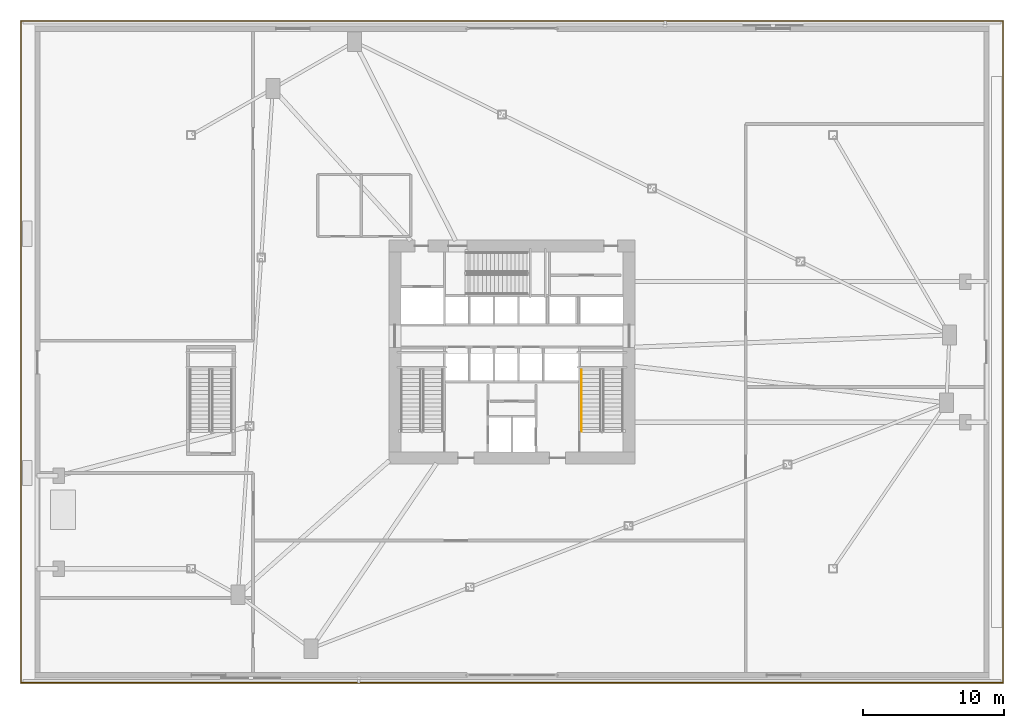
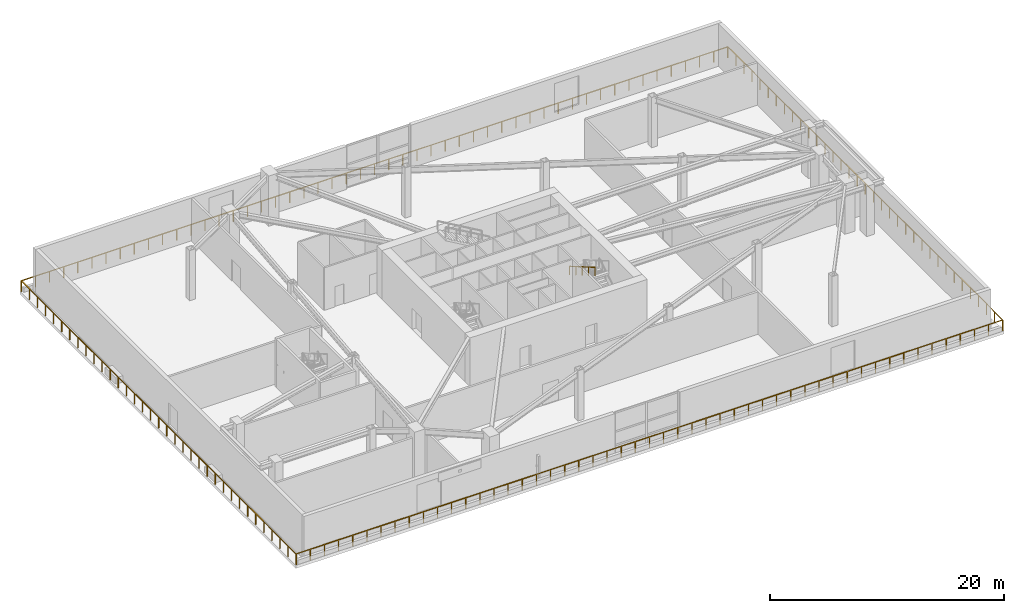
# One storey, part 13 of 15: 3 railings.
"""IFC4 building model written with IfcOpenShell, lengths in metres."""

from ifc_helpers import new_model, si_unit, direction, frame, origin, origin_2d, place, context, subcontext, project, spatial, rectangle, extrude, material, type_object, element, save


model = new_model("IFC4")

# Units and contexts
model_context = context("Model", 3, precision=1e-05, world=origin(), true_north=direction((0.0, 1.0)))
body_context = subcontext(model_context, "Body", "Model", "MODEL_VIEW")
ifc_project = project(units=[si_unit("LENGTHUNIT", "METRE"), si_unit("AREAUNIT", "SQUARE_METRE"), si_unit("VOLUMEUNIT", "CUBIC_METRE"), si_unit("PLANEANGLEUNIT", "RADIAN"), si_unit("MASSUNIT", "GRAM", prefix="KILO")], contexts=[model_context])

# Site, building, storey
site_placement = place(None, origin())
site = spatial("IfcSite", under=ifc_project, at=site_placement, CompositionType="ELEMENT")
building_placement = place(site_placement, origin())
building = spatial("IfcBuilding", under=site, at=building_placement, Name="Olszyna Solenne Hotel", CompositionType="ELEMENT")
storey_placement = place(building_placement, frame((0.0, 0.0, 10.199951171875)))
storey = spatial("IfcBuildingStorey", under=building, at=storey_placement, Name="L02", CompositionType="ELEMENT", Elevation=10.199951171875)

# Railings
ifc_material = material(Name="Steel S355J2", Category="steel")
railing_type_1 = type_object("IfcRailingType", Name="GR-115", PredefinedType="BALUSTRADE", material=ifc_material)
railing_1_placement = place(storey_placement, frame((3.1298828125, 50.10009765625, 0.0)))
element("IfcRailing", 1, at=railing_1_placement, inside=storey, type_object=railing_type_1, Name="Garden terrace perimeter guard balustrade GR-L02-T11", PredefinedType="BALUSTRADE", context=body_context, shape_type="SweptSolid", body=[
    extrude(rectangle(XDim=0.048095703125, YDim=0.048095703125, at=origin_2d()), frame((0.0, 0.0, 1.1259765625), z_axis=(1.0, 0.0, 0.0), x_axis=(0.0, 1.0, 0.0)), (0.0, 0.0, 1.0), 69.740234375),
    extrude(rectangle(XDim=0.048095703125, YDim=0.048095703125, at=origin_2d()), frame((69.740234375, 0.0, 1.1259765625), z_axis=(0.0, -1.0, 0.0), x_axis=(1.0, 0.0, 0.0)), (0.0, 0.0, 1.0), 47.0),
    extrude(rectangle(XDim=0.0419921875, YDim=0.0419921875, at=origin_2d()), origin(), (0.0, 0.0, 1.0), 1.101806640625),
    extrude(rectangle(XDim=0.0419921875, YDim=0.0419921875, at=origin_2d()), frame((1.394775390625, 0.0, 0.0)), (0.0, 0.0, 1.0), 1.101806640625),
    extrude(rectangle(XDim=0.0419921875, YDim=0.0419921875, at=origin_2d()), frame((2.78955078125, 0.0, 0.0)), (0.0, 0.0, 1.0), 1.101806640625),
    extrude(rectangle(XDim=0.0419921875, YDim=0.0419921875, at=origin_2d()), frame((4.184326171875, 0.0, 0.0)), (0.0, 0.0, 1.0), 1.101806640625),
    extrude(rectangle(XDim=0.0419921875, YDim=0.0419921875, at=origin_2d()), frame((5.5791015625, 0.0, 0.0)), (0.0, 0.0, 1.0), 1.101806640625),
    extrude(rectangle(XDim=0.0419921875, YDim=0.0419921875, at=origin_2d()), frame((6.97412109375, 0.0, 0.0)), (0.0, 0.0, 1.0), 1.101806640625),
    extrude(rectangle(XDim=0.0419921875, YDim=0.0419921875, at=origin_2d()), frame((8.368896484375, 0.0, 0.0)), (0.0, 0.0, 1.0), 1.101806640625),
    extrude(rectangle(XDim=0.0419921875, YDim=0.0419921875, at=origin_2d()), frame((9.763671875, 0.0, 0.0)), (0.0, 0.0, 1.0), 1.101806640625),
    extrude(rectangle(XDim=0.0419921875, YDim=0.0419921875, at=origin_2d()), frame((11.158447265625, 0.0, 0.0)), (0.0, 0.0, 1.0), 1.101806640625),
    extrude(rectangle(XDim=0.0419921875, YDim=0.0419921875, at=origin_2d()), frame((12.55322265625, 0.0, 0.0)), (0.0, 0.0, 1.0), 1.101806640625),
    extrude(rectangle(XDim=0.0419921875, YDim=0.0419921875, at=origin_2d()), frame((13.947998046875, 0.0, 0.0)), (0.0, 0.0, 1.0), 1.101806640625),
    extrude(rectangle(XDim=0.0419921875, YDim=0.0419921875, at=origin_2d()), frame((15.3427734375, 0.0, 0.0)), (0.0, 0.0, 1.0), 1.101806640625),
    extrude(rectangle(XDim=0.0419921875, YDim=0.0419921875, at=origin_2d()), frame((16.737548828125, 0.0, 0.0)), (0.0, 0.0, 1.0), 1.101806640625),
    extrude(rectangle(XDim=0.0419921875, YDim=0.0419921875, at=origin_2d()), frame((18.132568359375, 0.0, 0.0)), (0.0, 0.0, 1.0), 1.101806640625),
    extrude(rectangle(XDim=0.0419921875, YDim=0.0419921875, at=origin_2d()), frame((19.52734375, 0.0, 0.0)), (0.0, 0.0, 1.0), 1.101806640625),
    extrude(rectangle(XDim=0.0419921875, YDim=0.0419921875, at=origin_2d()), frame((20.922119140625, 0.0, 0.0)), (0.0, 0.0, 1.0), 1.101806640625),
    extrude(rectangle(XDim=0.0419921875, YDim=0.0419921875, at=origin_2d()), frame((22.31689453125, 0.0, 0.0)), (0.0, 0.0, 1.0), 1.101806640625),
    extrude(rectangle(XDim=0.0419921875, YDim=0.0419921875, at=origin_2d()), frame((23.711669921875, 0.0, 0.0)), (0.0, 0.0, 1.0), 1.101806640625),
    extrude(rectangle(XDim=0.0419921875, YDim=0.0419921875, at=origin_2d()), frame((25.1064453125, 0.0, 0.0)), (0.0, 0.0, 1.0), 1.101806640625),
    extrude(rectangle(XDim=0.0419921875, YDim=0.0419921875, at=origin_2d()), frame((26.501220703125, 0.0, 0.0)), (0.0, 0.0, 1.0), 1.101806640625),
    extrude(rectangle(XDim=0.0419921875, YDim=0.0419921875, at=origin_2d()), frame((27.89599609375, 0.0, 0.0)), (0.0, 0.0, 1.0), 1.101806640625),
    extrude(rectangle(XDim=0.0419921875, YDim=0.0419921875, at=origin_2d()), frame((29.291015625, 0.0, 0.0)), (0.0, 0.0, 1.0), 1.101806640625),
    extrude(rectangle(XDim=0.0419921875, YDim=0.0419921875, at=origin_2d()), frame((30.685791015625, 0.0, 0.0)), (0.0, 0.0, 1.0), 1.101806640625),
    extrude(rectangle(XDim=0.0419921875, YDim=0.0419921875, at=origin_2d()), frame((32.08056640625, 0.0, 0.0)), (0.0, 0.0, 1.0), 1.101806640625),
    extrude(rectangle(XDim=0.0419921875, YDim=0.0419921875, at=origin_2d()), frame((33.475341796875, 0.0, 0.0)), (0.0, 0.0, 1.0), 1.101806640625),
    extrude(rectangle(XDim=0.0419921875, YDim=0.0419921875, at=origin_2d()), frame((34.8701171875, 0.0, 0.0)), (0.0, 0.0, 1.0), 1.101806640625),
    extrude(rectangle(XDim=0.0419921875, YDim=0.0419921875, at=origin_2d()), frame((36.264892578125, 0.0, 0.0)), (0.0, 0.0, 1.0), 1.101806640625),
    extrude(rectangle(XDim=0.0419921875, YDim=0.0419921875, at=origin_2d()), frame((37.65966796875, 0.0, 0.0)), (0.0, 0.0, 1.0), 1.101806640625),
    extrude(rectangle(XDim=0.0419921875, YDim=0.0419921875, at=origin_2d()), frame((39.054443359375, 0.0, 0.0)), (0.0, 0.0, 1.0), 1.101806640625),
    extrude(rectangle(XDim=0.0419921875, YDim=0.0419921875, at=origin_2d()), frame((40.44921875, 0.0, 0.0)), (0.0, 0.0, 1.0), 1.101806640625),
    extrude(rectangle(XDim=0.0419921875, YDim=0.0419921875, at=origin_2d()), frame((41.84423828125, 0.0, 0.0)), (0.0, 0.0, 1.0), 1.101806640625),
    extrude(rectangle(XDim=0.0419921875, YDim=0.0419921875, at=origin_2d()), frame((43.239013671875, 0.0, 0.0)), (0.0, 0.0, 1.0), 1.101806640625),
    extrude(rectangle(XDim=0.0419921875, YDim=0.0419921875, at=origin_2d()), frame((44.6337890625, 0.0, 0.0)), (0.0, 0.0, 1.0), 1.101806640625),
    extrude(rectangle(XDim=0.0419921875, YDim=0.0419921875, at=origin_2d()), frame((46.028564453125, 0.0, 0.0)), (0.0, 0.0, 1.0), 1.101806640625),
    extrude(rectangle(XDim=0.0419921875, YDim=0.0419921875, at=origin_2d()), frame((47.42333984375, 0.0, 0.0)), (0.0, 0.0, 1.0), 1.101806640625),
    extrude(rectangle(XDim=0.0419921875, YDim=0.0419921875, at=origin_2d()), frame((48.818115234375, 0.0, 0.0)), (0.0, 0.0, 1.0), 1.101806640625),
    extrude(rectangle(XDim=0.0419921875, YDim=0.0419921875, at=origin_2d()), frame((50.212890625, 0.0, 0.0)), (0.0, 0.0, 1.0), 1.101806640625),
    extrude(rectangle(XDim=0.0419921875, YDim=0.0419921875, at=origin_2d()), frame((51.607666015625, 0.0, 0.0)), (0.0, 0.0, 1.0), 1.101806640625),
    extrude(rectangle(XDim=0.0419921875, YDim=0.0419921875, at=origin_2d()), frame((53.002685546875, 0.0, 0.0)), (0.0, 0.0, 1.0), 1.101806640625),
    extrude(rectangle(XDim=0.0419921875, YDim=0.0419921875, at=origin_2d()), frame((54.3974609375, 0.0, 0.0)), (0.0, 0.0, 1.0), 1.101806640625),
    extrude(rectangle(XDim=0.0419921875, YDim=0.0419921875, at=origin_2d()), frame((55.792236328125, 0.0, 0.0)), (0.0, 0.0, 1.0), 1.101806640625),
    extrude(rectangle(XDim=0.0419921875, YDim=0.0419921875, at=origin_2d()), frame((57.18701171875, 0.0, 0.0)), (0.0, 0.0, 1.0), 1.101806640625),
    extrude(rectangle(XDim=0.0419921875, YDim=0.0419921875, at=origin_2d()), frame((58.581787109375, 0.0, 0.0)), (0.0, 0.0, 1.0), 1.101806640625),
    extrude(rectangle(XDim=0.0419921875, YDim=0.0419921875, at=origin_2d()), frame((59.9765625, 0.0, 0.0)), (0.0, 0.0, 1.0), 1.101806640625),
    extrude(rectangle(XDim=0.0419921875, YDim=0.0419921875, at=origin_2d()), frame((61.371337890625, 0.0, 0.0)), (0.0, 0.0, 1.0), 1.101806640625),
    extrude(rectangle(XDim=0.0419921875, YDim=0.0419921875, at=origin_2d()), frame((62.76611328125, 0.0, 0.0)), (0.0, 0.0, 1.0), 1.101806640625),
    extrude(rectangle(XDim=0.0419921875, YDim=0.0419921875, at=origin_2d()), frame((64.1611328125, 0.0, 0.0)), (0.0, 0.0, 1.0), 1.101806640625),
    extrude(rectangle(XDim=0.0419921875, YDim=0.0419921875, at=origin_2d()), frame((65.555908203125, 0.0, 0.0)), (0.0, 0.0, 1.0), 1.101806640625),
    extrude(rectangle(XDim=0.0419921875, YDim=0.0419921875, at=origin_2d()), frame((66.95068359375, 0.0, 0.0)), (0.0, 0.0, 1.0), 1.101806640625),
    extrude(rectangle(XDim=0.0419921875, YDim=0.0419921875, at=origin_2d()), frame((68.345458984375, 0.0, 0.0)), (0.0, 0.0, 1.0), 1.101806640625),
    extrude(rectangle(XDim=0.0419921875, YDim=0.0419921875, at=origin_2d()), frame((69.740234375, 0.0, 0.0)), (0.0, 0.0, 1.0), 1.101806640625),
    extrude(rectangle(XDim=0.0419921875, YDim=0.0419921875, at=origin_2d()), frame((69.740234375, -1.38232421875, 0.0)), (0.0, 0.0, 1.0), 1.101806640625),
    extrude(rectangle(XDim=0.0419921875, YDim=0.0419921875, at=origin_2d()), frame((69.740234375, -2.7646484375, 0.0)), (0.0, 0.0, 1.0), 1.101806640625),
    extrude(rectangle(XDim=0.0419921875, YDim=0.0419921875, at=origin_2d()), frame((69.740234375, -4.14697265625, 0.0)), (0.0, 0.0, 1.0), 1.101806640625),
    extrude(rectangle(XDim=0.0419921875, YDim=0.0419921875, at=origin_2d()), frame((69.740234375, -5.529296875, 0.0)), (0.0, 0.0, 1.0), 1.101806640625),
    extrude(rectangle(XDim=0.0419921875, YDim=0.0419921875, at=origin_2d()), frame((69.740234375, -6.911865234375, 0.0)), (0.0, 0.0, 1.0), 1.101806640625),
    extrude(rectangle(XDim=0.0419921875, YDim=0.0419921875, at=origin_2d()), frame((69.740234375, -8.294189453125, 0.0)), (0.0, 0.0, 1.0), 1.101806640625),
    extrude(rectangle(XDim=0.0419921875, YDim=0.0419921875, at=origin_2d()), frame((69.740234375, -9.676513671875, 0.0)), (0.0, 0.0, 1.0), 1.101806640625),
    extrude(rectangle(XDim=0.0419921875, YDim=0.0419921875, at=origin_2d()), frame((69.740234375, -11.058837890625, 0.0)), (0.0, 0.0, 1.0), 1.101806640625),
    extrude(rectangle(XDim=0.0419921875, YDim=0.0419921875, at=origin_2d()), frame((69.740234375, -12.441162109375, 0.0)), (0.0, 0.0, 1.0), 1.101806640625),
    extrude(rectangle(XDim=0.0419921875, YDim=0.0419921875, at=origin_2d()), frame((69.740234375, -13.823486328125, 0.0)), (0.0, 0.0, 1.0), 1.101806640625),
    extrude(rectangle(XDim=0.0419921875, YDim=0.0419921875, at=origin_2d()), frame((69.740234375, -15.205810546875, 0.0)), (0.0, 0.0, 1.0), 1.101806640625),
    extrude(rectangle(XDim=0.0419921875, YDim=0.0419921875, at=origin_2d()), frame((69.740234375, -16.588134765625, 0.0)), (0.0, 0.0, 1.0), 1.101806640625),
    extrude(rectangle(XDim=0.0419921875, YDim=0.0419921875, at=origin_2d()), frame((69.740234375, -17.970703125, 0.0)), (0.0, 0.0, 1.0), 1.101806640625),
    extrude(rectangle(XDim=0.0419921875, YDim=0.0419921875, at=origin_2d()), frame((69.740234375, -19.35302734375, 0.0)), (0.0, 0.0, 1.0), 1.101806640625),
    extrude(rectangle(XDim=0.0419921875, YDim=0.0419921875, at=origin_2d()), frame((69.740234375, -20.7353515625, 0.0)), (0.0, 0.0, 1.0), 1.101806640625),
    extrude(rectangle(XDim=0.0419921875, YDim=0.0419921875, at=origin_2d()), frame((69.740234375, -22.11767578125, 0.0)), (0.0, 0.0, 1.0), 1.101806640625),
    extrude(rectangle(XDim=0.0419921875, YDim=0.0419921875, at=origin_2d()), frame((69.740234375, -23.5, 0.0)), (0.0, 0.0, 1.0), 1.101806640625),
    extrude(rectangle(XDim=0.0419921875, YDim=0.0419921875, at=origin_2d()), frame((69.740234375, -24.88232421875, 0.0)), (0.0, 0.0, 1.0), 1.101806640625),
    extrude(rectangle(XDim=0.0419921875, YDim=0.0419921875, at=origin_2d()), frame((69.740234375, -26.2646484375, 0.0)), (0.0, 0.0, 1.0), 1.101806640625),
    extrude(rectangle(XDim=0.0419921875, YDim=0.0419921875, at=origin_2d()), frame((69.740234375, -27.64697265625, 0.0)), (0.0, 0.0, 1.0), 1.101806640625),
    extrude(rectangle(XDim=0.0419921875, YDim=0.0419921875, at=origin_2d()), frame((69.740234375, -29.029296875, 0.0)), (0.0, 0.0, 1.0), 1.101806640625),
    extrude(rectangle(XDim=0.0419921875, YDim=0.0419921875, at=origin_2d()), frame((69.740234375, -30.411865234375, 0.0)), (0.0, 0.0, 1.0), 1.101806640625),
    extrude(rectangle(XDim=0.0419921875, YDim=0.0419921875, at=origin_2d()), frame((69.740234375, -31.794189453125, 0.0)), (0.0, 0.0, 1.0), 1.101806640625),
    extrude(rectangle(XDim=0.0419921875, YDim=0.0419921875, at=origin_2d()), frame((69.740234375, -33.176513671875, 0.0)), (0.0, 0.0, 1.0), 1.101806640625),
    extrude(rectangle(XDim=0.0419921875, YDim=0.0419921875, at=origin_2d()), frame((69.740234375, -34.558837890625, 0.0)), (0.0, 0.0, 1.0), 1.101806640625),
    extrude(rectangle(XDim=0.0419921875, YDim=0.0419921875, at=origin_2d()), frame((69.740234375, -35.941162109375, 0.0)), (0.0, 0.0, 1.0), 1.101806640625),
    extrude(rectangle(XDim=0.0419921875, YDim=0.0419921875, at=origin_2d()), frame((69.740234375, -37.323486328125, 0.0)), (0.0, 0.0, 1.0), 1.101806640625),
    extrude(rectangle(XDim=0.0419921875, YDim=0.0419921875, at=origin_2d()), frame((69.740234375, -38.705810546875, 0.0)), (0.0, 0.0, 1.0), 1.101806640625),
    extrude(rectangle(XDim=0.0419921875, YDim=0.0419921875, at=origin_2d()), frame((69.740234375, -40.088134765625, 0.0)), (0.0, 0.0, 1.0), 1.101806640625),
    extrude(rectangle(XDim=0.0419921875, YDim=0.0419921875, at=origin_2d()), frame((69.740234375, -41.470703125, 0.0)), (0.0, 0.0, 1.0), 1.101806640625),
    extrude(rectangle(XDim=0.0419921875, YDim=0.0419921875, at=origin_2d()), frame((69.740234375, -42.85302734375, 0.0)), (0.0, 0.0, 1.0), 1.101806640625),
    extrude(rectangle(XDim=0.0419921875, YDim=0.0419921875, at=origin_2d()), frame((69.740234375, -44.2353515625, 0.0)), (0.0, 0.0, 1.0), 1.101806640625),
    extrude(rectangle(XDim=0.0419921875, YDim=0.0419921875, at=origin_2d()), frame((69.740234375, -45.61767578125, 0.0)), (0.0, 0.0, 1.0), 1.101806640625),
    extrude(rectangle(XDim=0.0419921875, YDim=0.0419921875, at=origin_2d()), frame((69.740234375, -47.0, 0.0)), (0.0, 0.0, 1.0), 1.101806640625),
])
railing_2_placement = place(storey_placement, frame((72.8701171875, 3.10009765625, 0.0)))
element("IfcRailing", 2, at=railing_2_placement, inside=storey, type_object=railing_type_1, Name="Garden terrace perimeter guard balustrade GR-L02-T12", PredefinedType="BALUSTRADE", context=body_context, shape_type="SweptSolid", body=[
    extrude(rectangle(XDim=0.048095703125, YDim=0.048095703125, at=origin_2d()), frame((0.0, 0.0, 1.1259765625), z_axis=(-1.0, 0.0, 0.0), x_axis=(0.0, -1.0, 0.0)), (0.0, 0.0, 1.0), 69.740234375),
    extrude(rectangle(XDim=0.048095703125, YDim=0.048095703125, at=origin_2d()), frame((-69.740234375, 0.0, 1.1259765625), z_axis=(0.0, 1.0, 0.0), x_axis=(-1.0, 0.0, 0.0)), (0.0, 0.0, 1.0), 47.0),
    extrude(rectangle(XDim=0.0419921875, YDim=0.0419921875, at=origin_2d()), origin(), (0.0, 0.0, 1.0), 1.101806640625),
    extrude(rectangle(XDim=0.0419921875, YDim=0.0419921875, at=origin_2d()), frame((-1.394775390625, 0.0, 0.0)), (0.0, 0.0, 1.0), 1.101806640625),
    extrude(rectangle(XDim=0.0419921875, YDim=0.0419921875, at=origin_2d()), frame((-2.78955078125, 0.0, 0.0)), (0.0, 0.0, 1.0), 1.101806640625),
    extrude(rectangle(XDim=0.0419921875, YDim=0.0419921875, at=origin_2d()), frame((-4.184326171875, 0.0, 0.0)), (0.0, 0.0, 1.0), 1.101806640625),
    extrude(rectangle(XDim=0.0419921875, YDim=0.0419921875, at=origin_2d()), frame((-5.5791015625, 0.0, 0.0)), (0.0, 0.0, 1.0), 1.101806640625),
    extrude(rectangle(XDim=0.0419921875, YDim=0.0419921875, at=origin_2d()), frame((-6.97412109375, 0.0, 0.0)), (0.0, 0.0, 1.0), 1.101806640625),
    extrude(rectangle(XDim=0.0419921875, YDim=0.0419921875, at=origin_2d()), frame((-8.368896484375, 0.0, 0.0)), (0.0, 0.0, 1.0), 1.101806640625),
    extrude(rectangle(XDim=0.0419921875, YDim=0.0419921875, at=origin_2d()), frame((-9.763671875, 0.0, 0.0)), (0.0, 0.0, 1.0), 1.101806640625),
    extrude(rectangle(XDim=0.0419921875, YDim=0.0419921875, at=origin_2d()), frame((-11.158447265625, 0.0, 0.0)), (0.0, 0.0, 1.0), 1.101806640625),
    extrude(rectangle(XDim=0.0419921875, YDim=0.0419921875, at=origin_2d()), frame((-12.55322265625, 0.0, 0.0)), (0.0, 0.0, 1.0), 1.101806640625),
    extrude(rectangle(XDim=0.0419921875, YDim=0.0419921875, at=origin_2d()), frame((-13.947998046875, 0.0, 0.0)), (0.0, 0.0, 1.0), 1.101806640625),
    extrude(rectangle(XDim=0.0419921875, YDim=0.0419921875, at=origin_2d()), frame((-15.3427734375, 0.0, 0.0)), (0.0, 0.0, 1.0), 1.101806640625),
    extrude(rectangle(XDim=0.0419921875, YDim=0.0419921875, at=origin_2d()), frame((-16.737548828125, 0.0, 0.0)), (0.0, 0.0, 1.0), 1.101806640625),
    extrude(rectangle(XDim=0.0419921875, YDim=0.0419921875, at=origin_2d()), frame((-18.132568359375, 0.0, 0.0)), (0.0, 0.0, 1.0), 1.101806640625),
    extrude(rectangle(XDim=0.0419921875, YDim=0.0419921875, at=origin_2d()), frame((-19.52734375, 0.0, 0.0)), (0.0, 0.0, 1.0), 1.101806640625),
    extrude(rectangle(XDim=0.0419921875, YDim=0.0419921875, at=origin_2d()), frame((-20.922119140625, 0.0, 0.0)), (0.0, 0.0, 1.0), 1.101806640625),
    extrude(rectangle(XDim=0.0419921875, YDim=0.0419921875, at=origin_2d()), frame((-22.31689453125, 0.0, 0.0)), (0.0, 0.0, 1.0), 1.101806640625),
    extrude(rectangle(XDim=0.0419921875, YDim=0.0419921875, at=origin_2d()), frame((-23.711669921875, 0.0, 0.0)), (0.0, 0.0, 1.0), 1.101806640625),
    extrude(rectangle(XDim=0.0419921875, YDim=0.0419921875, at=origin_2d()), frame((-25.1064453125, 0.0, 0.0)), (0.0, 0.0, 1.0), 1.101806640625),
    extrude(rectangle(XDim=0.0419921875, YDim=0.0419921875, at=origin_2d()), frame((-26.501220703125, 0.0, 0.0)), (0.0, 0.0, 1.0), 1.101806640625),
    extrude(rectangle(XDim=0.0419921875, YDim=0.0419921875, at=origin_2d()), frame((-27.89599609375, 0.0, 0.0)), (0.0, 0.0, 1.0), 1.101806640625),
    extrude(rectangle(XDim=0.0419921875, YDim=0.0419921875, at=origin_2d()), frame((-29.291015625, 0.0, 0.0)), (0.0, 0.0, 1.0), 1.101806640625),
    extrude(rectangle(XDim=0.0419921875, YDim=0.0419921875, at=origin_2d()), frame((-30.685791015625, 0.0, 0.0)), (0.0, 0.0, 1.0), 1.101806640625),
    extrude(rectangle(XDim=0.0419921875, YDim=0.0419921875, at=origin_2d()), frame((-32.08056640625, 0.0, 0.0)), (0.0, 0.0, 1.0), 1.101806640625),
    extrude(rectangle(XDim=0.0419921875, YDim=0.0419921875, at=origin_2d()), frame((-33.475341796875, 0.0, 0.0)), (0.0, 0.0, 1.0), 1.101806640625),
    extrude(rectangle(XDim=0.0419921875, YDim=0.0419921875, at=origin_2d()), frame((-34.8701171875, 0.0, 0.0)), (0.0, 0.0, 1.0), 1.101806640625),
    extrude(rectangle(XDim=0.0419921875, YDim=0.0419921875, at=origin_2d()), frame((-36.264892578125, 0.0, 0.0)), (0.0, 0.0, 1.0), 1.101806640625),
    extrude(rectangle(XDim=0.0419921875, YDim=0.0419921875, at=origin_2d()), frame((-37.65966796875, 0.0, 0.0)), (0.0, 0.0, 1.0), 1.101806640625),
    extrude(rectangle(XDim=0.0419921875, YDim=0.0419921875, at=origin_2d()), frame((-39.054443359375, 0.0, 0.0)), (0.0, 0.0, 1.0), 1.101806640625),
    extrude(rectangle(XDim=0.0419921875, YDim=0.0419921875, at=origin_2d()), frame((-40.44921875, 0.0, 0.0)), (0.0, 0.0, 1.0), 1.101806640625),
    extrude(rectangle(XDim=0.0419921875, YDim=0.0419921875, at=origin_2d()), frame((-41.84423828125, 0.0, 0.0)), (0.0, 0.0, 1.0), 1.101806640625),
    extrude(rectangle(XDim=0.0419921875, YDim=0.0419921875, at=origin_2d()), frame((-43.239013671875, 0.0, 0.0)), (0.0, 0.0, 1.0), 1.101806640625),
    extrude(rectangle(XDim=0.0419921875, YDim=0.0419921875, at=origin_2d()), frame((-44.6337890625, 0.0, 0.0)), (0.0, 0.0, 1.0), 1.101806640625),
    extrude(rectangle(XDim=0.0419921875, YDim=0.0419921875, at=origin_2d()), frame((-46.028564453125, 0.0, 0.0)), (0.0, 0.0, 1.0), 1.101806640625),
    extrude(rectangle(XDim=0.0419921875, YDim=0.0419921875, at=origin_2d()), frame((-47.42333984375, 0.0, 0.0)), (0.0, 0.0, 1.0), 1.101806640625),
    extrude(rectangle(XDim=0.0419921875, YDim=0.0419921875, at=origin_2d()), frame((-48.818115234375, 0.0, 0.0)), (0.0, 0.0, 1.0), 1.101806640625),
    extrude(rectangle(XDim=0.0419921875, YDim=0.0419921875, at=origin_2d()), frame((-50.212890625, 0.0, 0.0)), (0.0, 0.0, 1.0), 1.101806640625),
    extrude(rectangle(XDim=0.0419921875, YDim=0.0419921875, at=origin_2d()), frame((-51.607666015625, 0.0, 0.0)), (0.0, 0.0, 1.0), 1.101806640625),
    extrude(rectangle(XDim=0.0419921875, YDim=0.0419921875, at=origin_2d()), frame((-53.002685546875, 0.0, 0.0)), (0.0, 0.0, 1.0), 1.101806640625),
    extrude(rectangle(XDim=0.0419921875, YDim=0.0419921875, at=origin_2d()), frame((-54.3974609375, 0.0, 0.0)), (0.0, 0.0, 1.0), 1.101806640625),
    extrude(rectangle(XDim=0.0419921875, YDim=0.0419921875, at=origin_2d()), frame((-55.792236328125, 0.0, 0.0)), (0.0, 0.0, 1.0), 1.101806640625),
    extrude(rectangle(XDim=0.0419921875, YDim=0.0419921875, at=origin_2d()), frame((-57.18701171875, 0.0, 0.0)), (0.0, 0.0, 1.0), 1.101806640625),
    extrude(rectangle(XDim=0.0419921875, YDim=0.0419921875, at=origin_2d()), frame((-58.581787109375, 0.0, 0.0)), (0.0, 0.0, 1.0), 1.101806640625),
    extrude(rectangle(XDim=0.0419921875, YDim=0.0419921875, at=origin_2d()), frame((-59.9765625, 0.0, 0.0)), (0.0, 0.0, 1.0), 1.101806640625),
    extrude(rectangle(XDim=0.0419921875, YDim=0.0419921875, at=origin_2d()), frame((-61.371337890625, 0.0, 0.0)), (0.0, 0.0, 1.0), 1.101806640625),
    extrude(rectangle(XDim=0.0419921875, YDim=0.0419921875, at=origin_2d()), frame((-62.76611328125, 0.0, 0.0)), (0.0, 0.0, 1.0), 1.101806640625),
    extrude(rectangle(XDim=0.0419921875, YDim=0.0419921875, at=origin_2d()), frame((-64.1611328125, 0.0, 0.0)), (0.0, 0.0, 1.0), 1.101806640625),
    extrude(rectangle(XDim=0.0419921875, YDim=0.0419921875, at=origin_2d()), frame((-65.555908203125, 0.0, 0.0)), (0.0, 0.0, 1.0), 1.101806640625),
    extrude(rectangle(XDim=0.0419921875, YDim=0.0419921875, at=origin_2d()), frame((-66.95068359375, 0.0, 0.0)), (0.0, 0.0, 1.0), 1.101806640625),
    extrude(rectangle(XDim=0.0419921875, YDim=0.0419921875, at=origin_2d()), frame((-68.345458984375, 0.0, 0.0)), (0.0, 0.0, 1.0), 1.101806640625),
    extrude(rectangle(XDim=0.0419921875, YDim=0.0419921875, at=origin_2d()), frame((-69.740234375, 0.0, 0.0)), (0.0, 0.0, 1.0), 1.101806640625),
    extrude(rectangle(XDim=0.0419921875, YDim=0.0419921875, at=origin_2d()), frame((-69.740234375, 1.38232421875, 0.0)), (0.0, 0.0, 1.0), 1.101806640625),
    extrude(rectangle(XDim=0.0419921875, YDim=0.0419921875, at=origin_2d()), frame((-69.740234375, 2.7646484375, 0.0)), (0.0, 0.0, 1.0), 1.101806640625),
    extrude(rectangle(XDim=0.0419921875, YDim=0.0419921875, at=origin_2d()), frame((-69.740234375, 4.14697265625, 0.0)), (0.0, 0.0, 1.0), 1.101806640625),
    extrude(rectangle(XDim=0.0419921875, YDim=0.0419921875, at=origin_2d()), frame((-69.740234375, 5.529296875, 0.0)), (0.0, 0.0, 1.0), 1.101806640625),
    extrude(rectangle(XDim=0.0419921875, YDim=0.0419921875, at=origin_2d()), frame((-69.740234375, 6.911865234375, 0.0)), (0.0, 0.0, 1.0), 1.101806640625),
    extrude(rectangle(XDim=0.0419921875, YDim=0.0419921875, at=origin_2d()), frame((-69.740234375, 8.294189453125, 0.0)), (0.0, 0.0, 1.0), 1.101806640625),
    extrude(rectangle(XDim=0.0419921875, YDim=0.0419921875, at=origin_2d()), frame((-69.740234375, 9.676513671875, 0.0)), (0.0, 0.0, 1.0), 1.101806640625),
    extrude(rectangle(XDim=0.0419921875, YDim=0.0419921875, at=origin_2d()), frame((-69.740234375, 11.058837890625, 0.0)), (0.0, 0.0, 1.0), 1.101806640625),
    extrude(rectangle(XDim=0.0419921875, YDim=0.0419921875, at=origin_2d()), frame((-69.740234375, 12.441162109375, 0.0)), (0.0, 0.0, 1.0), 1.101806640625),
    extrude(rectangle(XDim=0.0419921875, YDim=0.0419921875, at=origin_2d()), frame((-69.740234375, 13.823486328125, 0.0)), (0.0, 0.0, 1.0), 1.101806640625),
    extrude(rectangle(XDim=0.0419921875, YDim=0.0419921875, at=origin_2d()), frame((-69.740234375, 15.205810546875, 0.0)), (0.0, 0.0, 1.0), 1.101806640625),
    extrude(rectangle(XDim=0.0419921875, YDim=0.0419921875, at=origin_2d()), frame((-69.740234375, 16.588134765625, 0.0)), (0.0, 0.0, 1.0), 1.101806640625),
    extrude(rectangle(XDim=0.0419921875, YDim=0.0419921875, at=origin_2d()), frame((-69.740234375, 17.970703125, 0.0)), (0.0, 0.0, 1.0), 1.101806640625),
    extrude(rectangle(XDim=0.0419921875, YDim=0.0419921875, at=origin_2d()), frame((-69.740234375, 19.35302734375, 0.0)), (0.0, 0.0, 1.0), 1.101806640625),
    extrude(rectangle(XDim=0.0419921875, YDim=0.0419921875, at=origin_2d()), frame((-69.740234375, 20.7353515625, 0.0)), (0.0, 0.0, 1.0), 1.101806640625),
    extrude(rectangle(XDim=0.0419921875, YDim=0.0419921875, at=origin_2d()), frame((-69.740234375, 22.11767578125, 0.0)), (0.0, 0.0, 1.0), 1.101806640625),
    extrude(rectangle(XDim=0.0419921875, YDim=0.0419921875, at=origin_2d()), frame((-69.740234375, 23.5, 0.0)), (0.0, 0.0, 1.0), 1.101806640625),
    extrude(rectangle(XDim=0.0419921875, YDim=0.0419921875, at=origin_2d()), frame((-69.740234375, 24.88232421875, 0.0)), (0.0, 0.0, 1.0), 1.101806640625),
    extrude(rectangle(XDim=0.0419921875, YDim=0.0419921875, at=origin_2d()), frame((-69.740234375, 26.2646484375, 0.0)), (0.0, 0.0, 1.0), 1.101806640625),
    extrude(rectangle(XDim=0.0419921875, YDim=0.0419921875, at=origin_2d()), frame((-69.740234375, 27.64697265625, 0.0)), (0.0, 0.0, 1.0), 1.101806640625),
    extrude(rectangle(XDim=0.0419921875, YDim=0.0419921875, at=origin_2d()), frame((-69.740234375, 29.029296875, 0.0)), (0.0, 0.0, 1.0), 1.101806640625),
    extrude(rectangle(XDim=0.0419921875, YDim=0.0419921875, at=origin_2d()), frame((-69.740234375, 30.411865234375, 0.0)), (0.0, 0.0, 1.0), 1.101806640625),
    extrude(rectangle(XDim=0.0419921875, YDim=0.0419921875, at=origin_2d()), frame((-69.740234375, 31.794189453125, 0.0)), (0.0, 0.0, 1.0), 1.101806640625),
    extrude(rectangle(XDim=0.0419921875, YDim=0.0419921875, at=origin_2d()), frame((-69.740234375, 33.176513671875, 0.0)), (0.0, 0.0, 1.0), 1.101806640625),
    extrude(rectangle(XDim=0.0419921875, YDim=0.0419921875, at=origin_2d()), frame((-69.740234375, 34.558837890625, 0.0)), (0.0, 0.0, 1.0), 1.101806640625),
    extrude(rectangle(XDim=0.0419921875, YDim=0.0419921875, at=origin_2d()), frame((-69.740234375, 35.941162109375, 0.0)), (0.0, 0.0, 1.0), 1.101806640625),
    extrude(rectangle(XDim=0.0419921875, YDim=0.0419921875, at=origin_2d()), frame((-69.740234375, 37.323486328125, 0.0)), (0.0, 0.0, 1.0), 1.101806640625),
    extrude(rectangle(XDim=0.0419921875, YDim=0.0419921875, at=origin_2d()), frame((-69.740234375, 38.705810546875, 0.0)), (0.0, 0.0, 1.0), 1.101806640625),
    extrude(rectangle(XDim=0.0419921875, YDim=0.0419921875, at=origin_2d()), frame((-69.740234375, 40.088134765625, 0.0)), (0.0, 0.0, 1.0), 1.101806640625),
    extrude(rectangle(XDim=0.0419921875, YDim=0.0419921875, at=origin_2d()), frame((-69.740234375, 41.470703125, 0.0)), (0.0, 0.0, 1.0), 1.101806640625),
    extrude(rectangle(XDim=0.0419921875, YDim=0.0419921875, at=origin_2d()), frame((-69.740234375, 42.85302734375, 0.0)), (0.0, 0.0, 1.0), 1.101806640625),
    extrude(rectangle(XDim=0.0419921875, YDim=0.0419921875, at=origin_2d()), frame((-69.740234375, 44.2353515625, 0.0)), (0.0, 0.0, 1.0), 1.101806640625),
    extrude(rectangle(XDim=0.0419921875, YDim=0.0419921875, at=origin_2d()), frame((-69.740234375, 45.61767578125, 0.0)), (0.0, 0.0, 1.0), 1.101806640625),
    extrude(rectangle(XDim=0.0419921875, YDim=0.0419921875, at=origin_2d()), frame((-69.740234375, 47.0, 0.0)), (0.0, 0.0, 1.0), 1.101806640625),
])
railing_type_2 = type_object("IfcRailingType", Name="HR-090", PredefinedType="HANDRAIL", material=ifc_material)
railing_3_placement = place(storey_placement, frame((42.929931640625, 25.300048828125, 2.868896484375)))
element("IfcRailing", 3, at=railing_3_placement, inside=storey, type_object=railing_type_2, Name="L02 ST2 stair handrail 2", PredefinedType="HANDRAIL", context=body_context, shape_type="SweptSolid", body=[
    extrude(rectangle(XDim=0.048095703125, YDim=0.048095703125, at=origin_2d()), frame((0.0, 0.0, 0.8759765625), z_axis=(0.0, -0.864323800911, 0.50293574856), x_axis=(1.0, 0.0, 0.0)), (0.0, 0.0, 1.0), 5.032958984375),
    extrude(rectangle(XDim=0.0419921875, YDim=0.0419921875, at=origin_2d()), origin(), (0.0, 0.0, 1.0), 0.851806640625),
    extrude(rectangle(XDim=0.0419921875, YDim=0.0419921875, at=origin_2d()), frame((0.0, -1.08740234375, 0.6328125)), (0.0, 0.0, 1.0), 0.851806640625),
    extrude(rectangle(XDim=0.0419921875, YDim=0.0419921875, at=origin_2d()), frame((0.0, -2.175048828125, 1.265625)), (0.0, 0.0, 1.0), 0.851806640625),
    extrude(rectangle(XDim=0.0419921875, YDim=0.0419921875, at=origin_2d()), frame((0.0, -3.2626953125, 1.8984375)), (0.0, 0.0, 1.0), 0.851806640625),
    extrude(rectangle(XDim=0.0419921875, YDim=0.0419921875, at=origin_2d()), frame((0.0, -4.35009765625, 2.53125)), (0.0, 0.0, 1.0), 0.851806640625),
])

save(model, "model.ifc")
